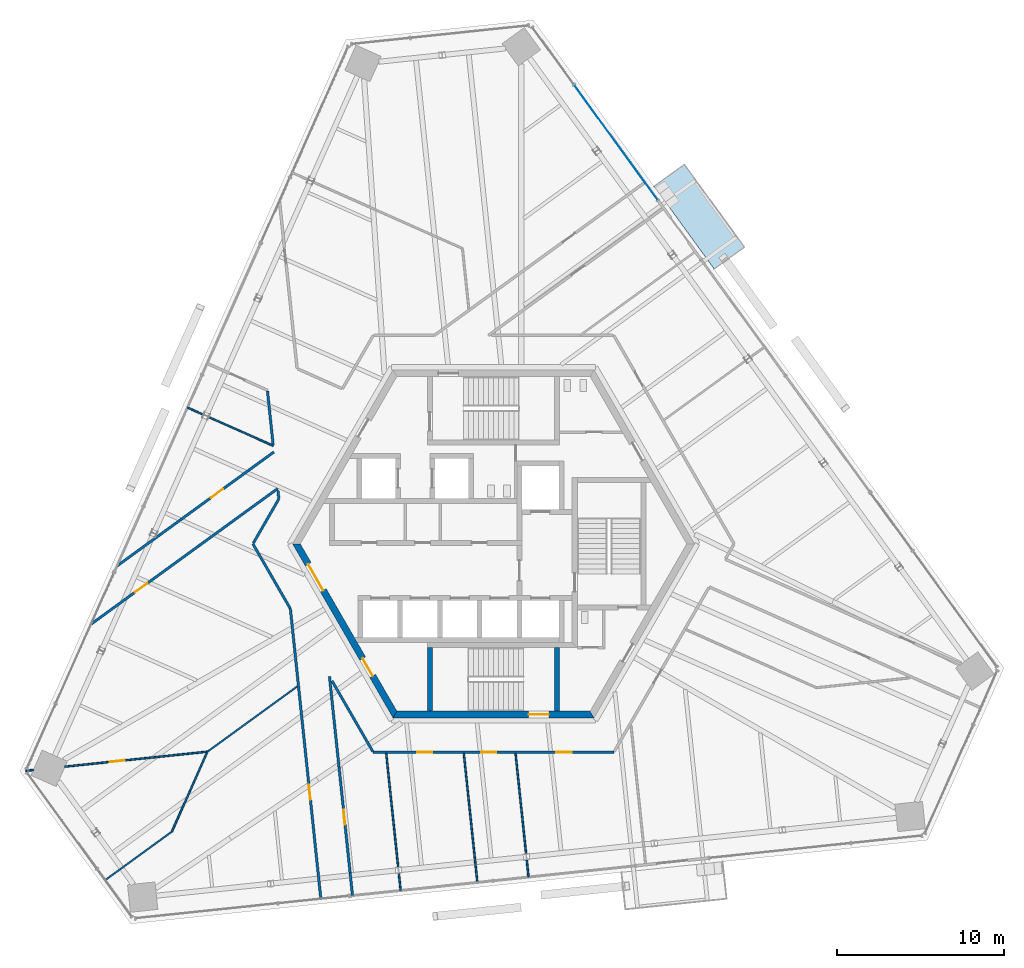
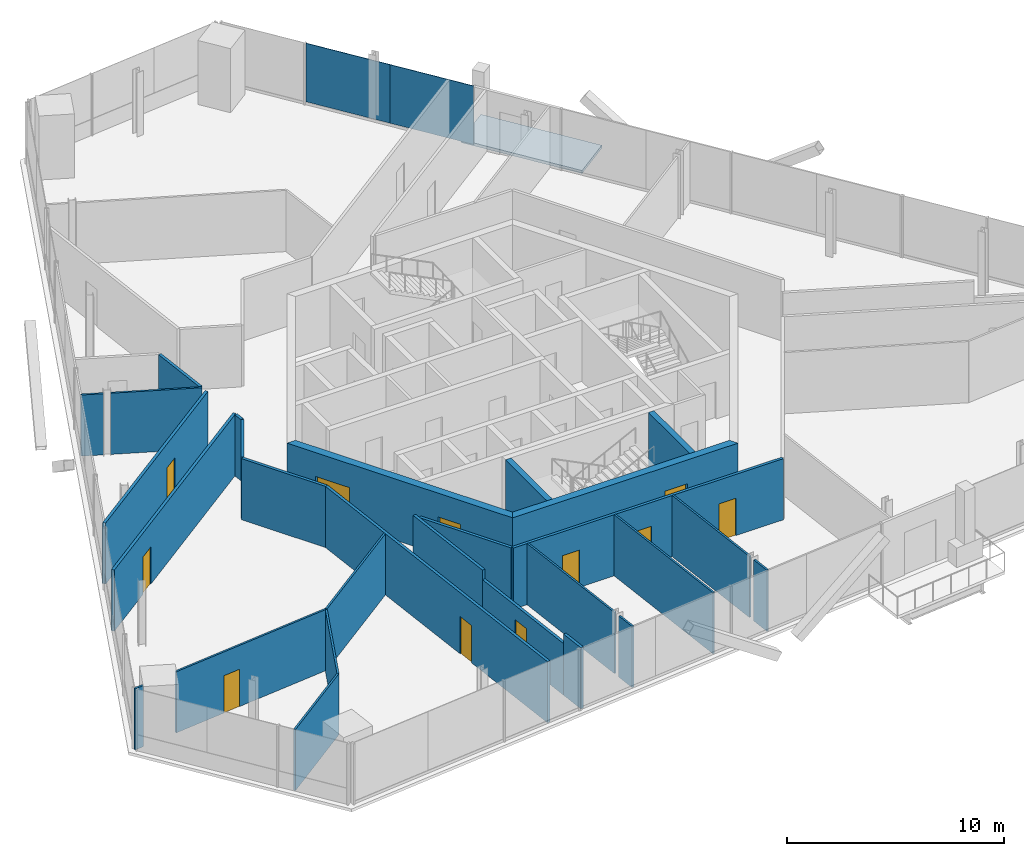
# One storey, part 11 of 18: 28 walls, 11 doors, 2 plates, 1 slab, 11 openings, 1 element without a shape of its own.
"""IFC4 building model written with IfcOpenShell, lengths in metres."""

from ifc_helpers import new_model, si_unit, direction, frame, frame_2d, origin, origin_2d, place, context, subcontext, project, spatial, polyline, rectangle, outline, extrude, source, transform, mapped, material, layer, layer_set, type_object, element, fill, aggregate, save


model = new_model("IFC4")

# Units and contexts
model_context = context("Model", 3, precision=1e-05, world=origin(), true_north=direction((0.0, 1.0)))
body_context = subcontext(model_context, "Body", "Model", "MODEL_VIEW")
ifc_project = project(units=[si_unit("LENGTHUNIT", "METRE"), si_unit("AREAUNIT", "SQUARE_METRE"), si_unit("VOLUMEUNIT", "CUBIC_METRE"), si_unit("PLANEANGLEUNIT", "RADIAN"), si_unit("MASSUNIT", "GRAM", prefix="KILO")], contexts=[model_context])

# Site, building, storey
site_placement = place(None, origin())
site = spatial("IfcSite", under=ifc_project, at=site_placement, CompositionType="ELEMENT")
building_placement = place(site_placement, origin())
building = spatial("IfcBuilding", under=site, at=building_placement, Name="Triune Harvest Tower", CompositionType="ELEMENT")
storey_placement = place(building_placement, frame((0.0, 0.0, 237.699951171875)))
storey = spatial("IfcBuildingStorey", under=building, at=storey_placement, Name="L62", CompositionType="ELEMENT", Elevation=237.699951171875)

# Slab
ifc_material_1 = material(Name="Concrete 40 MPa", Category="concrete")
ifc_layer_1 = layer(ifc_material_1, 0.159912109375)
ifc_layer_set_1 = layer_set([ifc_layer_1], Name="Concrete 40 MPa")
slab_type = type_object("IfcSlabType", Name="BA-1 balcony slab 160", PredefinedType="FLOOR", material=ifc_layer_set_1)
slab_placement = place(storey_placement, frame((0.0, 0.0, -0.159912109375)))
element("IfcSlab", 1, at=slab_placement, inside=storey, type_object=slab_type, Name="Balcony slab B6-F1 L62.8", PredefinedType="FLOOR", context=body_context, shape_type="SweptSolid", body=[
    extrude(outline(polyline([(13.173583984375, 16.41064453125), (9.58837890625, 21.34521484375), (11.39599609375, 22.65869140625), (14.981201171875, 17.72412109375), (13.173583984375, 16.41064453125)])), origin(), (0.0, 0.0, 1.0), 0.159912109375),
])

# Curtain wall, plates
ifc_material_2 = material(Name="Aluminium bronze anodised", Category="aluminium")
curtain_wall_type = type_object("IfcCurtainWallType", Name="CW-6 Balcony window wall", PredefinedType="NOTDEFINED", material=ifc_material_2)
curtain_wall_placement = place(storey_placement, origin())
curtain_wall = element("IfcCurtainWall", 2, at=curtain_wall_placement, inside=storey, type_object=curtain_wall_type, Name="CW-6 B6-F1 L62 run 2")
ifc_material_3 = material(Name="Glass", Category="glass")
ifc_layer_2 = layer(ifc_material_3, 0.030029296875)
ifc_layer_set_2 = layer_set([ifc_layer_2], Name="Glass")
plate_type = type_object("IfcPlateType", Name="GL-6 panel 30", PredefinedType="CURTAIN_PANEL", material=ifc_layer_set_2)
shared_shape_1 = source(origin(), body_context, "Body", "SweptSolid", [
    extrude(rectangle(XDim=4.21142578125, YDim=0.030029296875, at=origin_2d()), origin(), (0.0, 0.0, 1.0), 3.2900390625),
])
plate_1_placement = place(storey_placement, frame((8.55859375, 22.251953125, 0.150146484375), z_axis=(0.0, 0.0, 1.0), x_axis=(-0.587785672066, 0.809016689391, 0.0)))
plate_1 = element("IfcPlate", 3, at=plate_1_placement, type_object=plate_type, Name="CW-6 panel B6-F1 2.1", PredefinedType="CURTAIN_PANEL", context=body_context, shape_type="MappedRepresentation", body=[
    mapped(shared_shape_1, transform((0.0, 0.0, 0.0), scale=1.0)),
])
shared_shape_2 = source(origin(), body_context, "Body", "SweptSolid", [
    extrude(rectangle(XDim=4.248779296875, YDim=0.030029296875, at=origin_2d()), origin(), (0.0, 0.0, 1.0), 3.2900390625),
])
plate_2_placement = place(storey_placement, frame((6.072265625, 25.67431640625, 0.150146484375), z_axis=(0.0, 0.0, 1.0), x_axis=(-0.587785672066, 0.809016689391, 0.0)))
plate_2 = element("IfcPlate", 4, at=plate_2_placement, type_object=plate_type, Name="CW-6 panel B6-F1 2.2", PredefinedType="CURTAIN_PANEL", context=body_context, shape_type="MappedRepresentation", body=[
    mapped(shared_shape_2, transform((0.0, 0.0, 0.0), scale=1.0)),
])
aggregate(curtain_wall, [plate_1, plate_2])

# Walls
ifc_material_4 = material(Name="Gypsum board on steel studs", Category="steel")
ifc_layer_3 = layer(ifc_material_4, 0.14990234375)
ifc_layer_set_3 = layer_set([ifc_layer_3], Name="Gypsum board on steel studs")
wall_type_1 = type_object("IfcWallType", Name="Fire Partition 150 mm", PredefinedType="PARTITIONING", material=ifc_layer_set_3)
wall_1_placement = place(storey_placement, frame((-13.496826171875, 9.12548828125, 0.0), z_axis=(0.0, 0.0, 1.0), x_axis=(0.10448685516, -0.994526267677, 0.0)))
element("IfcWall", 5, at=wall_1_placement, inside=storey, type_object=wall_type_1, Name="Partition L62 001", PredefinedType="PARTITIONING", context=body_context, shape_type="SweptSolid", body=[
    extrude(rectangle(XDim=3.21044921875, YDim=0.14990234375, at=frame_2d((1.605224609375, 0.0))), origin(), (0.0, 0.0, 1.0), 3.43994140625),
])
wall_2_placement = place(storey_placement, frame((-12.873291015625, 3.193115234375, 0.0), z_axis=(0.0, 0.0, 1.0), x_axis=(0.104475610801, -0.994527448967, 0.0)))
element("IfcWall", 6, at=wall_2_placement, inside=storey, type_object=wall_type_1, Name="Partition L62 002", PredefinedType="PARTITIONING", context=body_context, shape_type="SweptSolid", body=[
    extrude(rectangle(XDim=0.486083984375, YDim=0.14990234375, at=frame_2d((0.2431640625, 0.0))), origin(), (0.0, 0.0, 1.0), 3.43994140625),
])

# Wall, opening, door
wall_3_placement = place(storey_placement, frame((-24.03173828125, -4.79541015625, 0.0), z_axis=(0.0, 0.0, 1.0), x_axis=(0.8090233325, 0.587776528514, 0.0)))
wall_3 = element("IfcWall", 7, at=wall_3_placement, inside=storey, type_object=wall_type_1, Name="Partition L62 036", PredefinedType="PARTITIONING", context=body_context, shape_type="SweptSolid", body=[
    extrude(rectangle(XDim=13.778076171875, YDim=0.14990234375, at=frame_2d((6.88916015625, 0.0))), origin(), (0.0, 0.0, 1.0), 3.43994140625),
])
opening_1_placement = place(wall_3_placement, frame((3.25, 0.0, 0.0)))
opening_1 = element("IfcOpeningElement", 8, at=opening_1_placement, cuts=wall_3, Name="Opening L62-008", PredefinedType="OPENING", context=body_context, shape_type="SweptSolid", body=[
    extrude(rectangle(XDim=0.89990234375, YDim=2.10009765625, at=frame_2d((0.449951171875, 1.050048828125))), frame((0.0, 0.0849609375, 0.0), z_axis=(0.0, -1.0, 0.0), x_axis=(1.0, 0.0, 0.0)), (0.0, 0.0, 1.0), 0.169921875),
])
ifc_material_5 = material(Name="Timber and steel door set", Category="steel")
door_type_1 = type_object("IfcDoorType", Name="Single leaf door FD30 right hand 900 x 2100", OperationType="SINGLE_SWING_RIGHT", PredefinedType="DOOR", material=ifc_material_5)
door_1_placement = place(opening_1_placement, origin())
door_1 = element("IfcDoor", 9, at=door_1_placement, inside=storey, type_object=door_type_1, Name="Door L62-008 Open Office 62.08", OperationType="SINGLE_SWING_RIGHT", OverallHeight=2.10009765625, OverallWidth=0.89990234375, PredefinedType="DOOR", context=body_context, shape_type="SweptSolid", body=[
    extrude(rectangle(XDim=0.89990234375, YDim=2.10009765625, at=frame_2d((0.449951171875, 1.050048828125))), frame((0.0, 0.02490234375, 0.0), z_axis=(0.0, -1.0, 0.0), x_axis=(1.0, 0.0, 0.0)), (0.0, 0.0, 1.0), 0.050048828125),
])
fill(opening_1, door_1)

wall_4_placement = place(storey_placement, frame((-22.486083984375, -1.32421875, 0.0), z_axis=(0.0, 0.0, 1.0), x_axis=(0.809007588388, 0.587798198305, 0.0)))
wall_4 = element("IfcWall", 10, at=wall_4_placement, inside=storey, type_object=wall_type_1, Name="Partition L62 038", PredefinedType="PARTITIONING", context=body_context, shape_type="SweptSolid", body=[
    extrude(rectangle(XDim=11.583984375, YDim=0.14990234375, at=frame_2d((5.7919921875, 0.0))), origin(), (0.0, 0.0, 1.0), 3.43994140625),
])
opening_2_placement = place(wall_4_placement, frame((6.93408203125, 0.0, 0.0)))
opening_2 = element("IfcOpeningElement", 11, at=opening_2_placement, cuts=wall_4, Name="Opening L62-009", PredefinedType="OPENING", context=body_context, shape_type="SweptSolid", body=[
    extrude(rectangle(XDim=0.89990234375, YDim=2.10009765625, at=frame_2d((0.449951171875, 1.050048828125))), frame((0.0, 0.0849609375, 0.0), z_axis=(0.0, -1.0, 0.0), x_axis=(1.0, 0.0, 0.0)), (0.0, 0.0, 1.0), 0.169921875),
])
door_2_placement = place(opening_2_placement, origin())
door_2 = element("IfcDoor", 12, at=door_2_placement, inside=storey, type_object=door_type_1, Name="Door L62-009 Open Office 62.09", OperationType="SINGLE_SWING_RIGHT", OverallHeight=2.10009765625, OverallWidth=0.89990234375, PredefinedType="DOOR", context=body_context, shape_type="SweptSolid", body=[
    extrude(rectangle(XDim=0.89990234375, YDim=2.10009765625, at=frame_2d((0.449951171875, 1.050048828125))), frame((0.0, 0.02490234375, 0.0), z_axis=(0.0, -1.0, 0.0), x_axis=(1.0, 0.0, 0.0)), (0.0, 0.0, 1.0), 0.050048828125),
])
fill(opening_2, door_2)

# Walls
ifc_material_6 = material(Name="Gypsum board on steel studs", Category="steel")
ifc_layer_4 = layer(ifc_material_6, 0.10009765625)
ifc_layer_set_4 = layer_set([ifc_layer_4], Name="Gypsum board on steel studs")
wall_type_2 = type_object("IfcWallType", Name="Partition 100 mm", PredefinedType="PARTITIONING", material=ifc_layer_set_4)
wall_5_placement = place(storey_placement, frame((-1.774658203125, -12.501953125, 0.0), z_axis=(0.0, 0.0, 1.0), x_axis=(0.104511086496, -0.994523721587, 0.0)))
element("IfcWall", 13, at=wall_5_placement, inside=storey, type_object=wall_type_2, Name="Partition L62 008", PredefinedType="PARTITIONING", context=body_context, shape_type="SweptSolid", body=[
    extrude(rectangle(XDim=7.755615234375, YDim=0.10009765625, at=frame_2d((3.8779296875, 0.0))), origin(), (0.0, 0.0, 1.0), 3.43994140625),
])
wall_6_placement = place(storey_placement, frame((-17.010498046875, 7.573486328125, 0.0), z_axis=(0.0, 0.0, 1.0), x_axis=(0.913549067156, -0.40672853588, 0.0)))
element("IfcWall", 14, at=wall_6_placement, inside=storey, type_object=wall_type_2, Name="Partition L62 017", PredefinedType="PARTITIONING", context=body_context, shape_type="SweptSolid", body=[
    extrude(rectangle(XDim=4.22216796875, YDim=0.10009765625, at=frame_2d((2.111083984375, 0.0))), origin(), (0.0, 0.0, 1.0), 3.43994140625),
])
wall_7_placement = place(storey_placement, frame((-27.9306640625, -13.550048828125, 0.0), z_axis=(0.0, 0.0, 1.0), x_axis=(0.994496795265, 0.104766999607, 0.0)))
element("IfcWall", 15, at=wall_7_placement, inside=storey, type_object=wall_type_2, Name="Partition L62 028", PredefinedType="PARTITIONING", context=body_context, shape_type="SweptSolid", body=[
    extrude(rectangle(XDim=0.463623046875, YDim=0.10009765625, at=frame_2d((0.23193359375, 0.0))), origin(), (0.0, 0.0, 1.0), 3.43994140625),
])

# Wall, opening, door
wall_8_placement = place(storey_placement, frame((-25.59765625, -13.3046875, 0.0), z_axis=(0.0, 0.0, 1.0), x_axis=(0.994526371454, 0.104485867384, 0.0)))
wall_8 = element("IfcWall", 16, at=wall_8_placement, inside=storey, type_object=wall_type_2, Name="Partition L62 029", PredefinedType="PARTITIONING", context=body_context, shape_type="SweptSolid", body=[
    extrude(rectangle(XDim=8.561279296875, YDim=0.10009765625, at=frame_2d((4.28076171875, 0.0))), origin(), (0.0, 0.0, 1.0), 3.43994140625),
])
opening_3_placement = place(wall_8_placement, frame((2.70458984375, 0.0, 0.0)))
opening_3 = element("IfcOpeningElement", 17, at=opening_3_placement, cuts=wall_8, Name="Opening L62-010", PredefinedType="OPENING", context=body_context, shape_type="SweptSolid", body=[
    extrude(rectangle(XDim=0.89990234375, YDim=2.10009765625, at=frame_2d((0.449951171875, 1.050048828125))), frame((0.0, 0.06005859375, 0.0), z_axis=(0.0, -1.0, 0.0), x_axis=(1.0, 0.0, 0.0)), (0.0, 0.0, 1.0), 0.1201171875),
])
ifc_material_7 = material(Name="Timber and steel door set", Category="steel")
door_type_2 = type_object("IfcDoorType", Name="Single leaf door right hand 900 x 2100", OperationType="SINGLE_SWING_RIGHT", PredefinedType="DOOR", material=ifc_material_7)
door_3_placement = place(opening_3_placement, origin())
door_3 = element("IfcDoor", 18, at=door_3_placement, inside=storey, type_object=door_type_2, Name="Door L62-010 Reception 62.10", OperationType="SINGLE_SWING_RIGHT", OverallHeight=2.10009765625, OverallWidth=0.89990234375, PredefinedType="DOOR", context=body_context, shape_type="SweptSolid", body=[
    extrude(rectangle(XDim=0.89990234375, YDim=2.10009765625, at=frame_2d((0.449951171875, 1.050048828125))), frame((0.0, 0.02490234375, 0.0), z_axis=(0.0, -1.0, 0.0), x_axis=(1.0, 0.0, 0.0)), (0.0, 0.0, 1.0), 0.050048828125),
])
fill(opening_3, door_3)

# Walls
wall_9_placement = place(storey_placement, frame((-23.1884765625, -20.077880859375, 0.0), z_axis=(0.0, 0.0, 1.0), x_axis=(0.809002120202, 0.587805724291, 0.0)))
element("IfcWall", 19, at=wall_9_placement, inside=storey, type_object=wall_type_2, Name="Partition L62 031", PredefinedType="PARTITIONING", context=body_context, shape_type="SweptSolid", body=[
    extrude(rectangle(XDim=4.91943359375, YDim=0.10009765625, at=frame_2d((2.459716796875, 0.0))), origin(), (0.0, 0.0, 1.0), 3.43994140625),
])
wall_10_placement = place(storey_placement, frame((-17.082763671875, -12.411376953125, 0.0), z_axis=(0.0, 0.0, 1.0), x_axis=(0.809009995236, 0.58779488566, 0.0)))
element("IfcWall", 20, at=wall_10_placement, inside=storey, type_object=wall_type_2, Name="Partition L62 032", PredefinedType="PARTITIONING", context=body_context, shape_type="SweptSolid", body=[
    extrude(rectangle(XDim=6.62744140625, YDim=0.10009765625, at=frame_2d((3.313720703125, 0.0))), origin(), (0.0, 0.0, 1.0), 3.43994140625),
])
wall_11_placement = place(storey_placement, frame((-19.208740234375, -17.186279296875, 0.0), z_axis=(0.0, 0.0, 1.0), x_axis=(0.4067521738, 0.91353854276, 0.0)))
element("IfcWall", 21, at=wall_11_placement, inside=storey, type_object=wall_type_2, Name="Partition L62 044", PredefinedType="PARTITIONING", context=body_context, shape_type="SweptSolid", body=[
    extrude(rectangle(XDim=5.166748046875, YDim=0.10009765625, at=frame_2d((2.58349609375, 0.0))), origin(), (0.0, 0.0, 1.0), 3.43994140625),
])

# Wall, openings, doors
ifc_material_8 = material(Name="Concrete 70 MPa", Category="concrete")
ifc_layer_5 = layer(ifc_material_8, 0.39990234375)
ifc_layer_set_5 = layer_set([ifc_layer_5], Name="Concrete 70 MPa")
wall_type_3 = type_object("IfcWallType", Name="Core wall 400", PredefinedType="SHEAR", material=ifc_layer_set_5)
shared_shape_3 = source(origin(), body_context, "Body", "SweptSolid", [
    extrude(outline(polyline([(-0.115478515625, -0.199951171875), (11.884521484375, -0.199951171875), (11.653564453125, 0.199951171875), (0.115478515625, 0.199951171875), (-0.115478515625, -0.199951171875)])), origin(), (0.0, 0.0, 1.0), 3.43994140625),
])
wall_12_placement = place(storey_placement, frame((-11.76904296875, 0.0, 0.0), z_axis=(0.0, 0.0, 1.0), x_axis=(0.499996592174, -0.866027371285, 0.0)))
wall_12 = element("IfcWall", 22, at=wall_12_placement, inside=storey, type_object=wall_type_3, Name="Hexagon 3 wall", PredefinedType="SHEAR", context=body_context, shape_type="MappedRepresentation", body=[
    mapped(shared_shape_3, transform((0.0, 0.0, 0.0), scale=1.0)),
])
opening_4_placement = place(wall_12_placement, frame((1.404541015625, 0.0, 0.0)))
opening_4 = element("IfcOpeningElement", 23, at=opening_4_placement, cuts=wall_12, Name="Opening CD-LS", PredefinedType="OPENING", context=body_context, shape_type="SweptSolid", body=[
    extrude(rectangle(XDim=1.800048828125, YDim=2.10009765625, at=frame_2d((0.89990234375, 1.050048828125))), frame((0.0, 0.2099609375, 0.0), z_axis=(0.0, -1.0, 0.0), x_axis=(1.0, 0.0, 0.0)), (0.0, 0.0, 1.0), 0.419921875),
])
opening_5_placement = place(wall_12_placement, frame((7.91455078125, 0.0, 0.0)))
opening_5 = element("IfcOpeningElement", 24, at=opening_5_placement, cuts=wall_12, Name="Opening CD-SWP", PredefinedType="OPENING", context=body_context, shape_type="SweptSolid", body=[
    extrude(rectangle(XDim=1.199951171875, YDim=2.10009765625, at=frame_2d((0.60009765625, 1.050048828125))), frame((0.0, 0.2099609375, 0.0), z_axis=(0.0, -1.0, 0.0), x_axis=(1.0, 0.0, 0.0)), (0.0, 0.0, 1.0), 0.419921875),
])
ifc_material_9 = material(Name="Steel S235", Category="steel")
door_type_3 = type_object("IfcDoorType", Name="Lobby door 1800 FD120", OperationType="DOUBLE_DOOR_DOUBLE_SWING", PredefinedType="DOOR", material=ifc_material_9)
door_4_placement = place(opening_4_placement, frame((1.800048828125, 0.0, 0.0), z_axis=(0.0, 0.0, 1.0), x_axis=(-1.0, 0.0, 0.0)))
door_4 = element("IfcDoor", 25, at=door_4_placement, inside=storey, type_object=door_type_3, Name="Door CD-LS", OperationType="DOUBLE_DOOR_DOUBLE_SWING", OverallHeight=2.10009765625, OverallWidth=1.800048828125, PredefinedType="DOOR", context=body_context, shape_type="SweptSolid", body=[
    extrude(rectangle(XDim=1.800048828125, YDim=2.10009765625, at=frame_2d((0.89990234375, 1.050048828125))), frame((0.0, 0.02490234375, 0.0), z_axis=(0.0, -1.0, 0.0), x_axis=(1.0, 0.0, 0.0)), (0.0, 0.0, 1.0), 0.050048828125),
])
fill(opening_4, door_4)
ifc_material_10 = material(Name="Steel S235", Category="steel")
door_type_4 = type_object("IfcDoorType", Name="Service door 1200 FD120", OperationType="SINGLE_SWING_LEFT", PredefinedType="DOOR", material=ifc_material_10)
door_5_placement = place(opening_5_placement, frame((1.199951171875, 0.0, 0.0), z_axis=(0.0, 0.0, 1.0), x_axis=(-1.0, 0.0, 0.0)))
door_5 = element("IfcDoor", 26, at=door_5_placement, inside=storey, type_object=door_type_4, Name="Door CD-SWP", OperationType="SINGLE_SWING_RIGHT", OverallHeight=2.10009765625, OverallWidth=1.199951171875, PredefinedType="DOOR", context=body_context, shape_type="SweptSolid", body=[
    extrude(rectangle(XDim=1.199951171875, YDim=2.10009765625, at=frame_2d((0.60009765625, 1.050048828125))), frame((0.0, 0.02490234375, 0.0), z_axis=(0.0, -1.0, 0.0), x_axis=(1.0, 0.0, 0.0)), (0.0, 0.0, 1.0), 0.050048828125),
])
fill(opening_5, door_5)

# Wall, opening, door
wall_13_placement = place(storey_placement, frame((-5.884521484375, -10.1923828125, 0.0), z_axis=(0.0, 0.0, 1.0), x_axis=(1.0, 0.0, 0.0)))
wall_13 = element("IfcWall", 27, at=wall_13_placement, inside=storey, type_object=wall_type_3, Name="Hexagon 4 wall", PredefinedType="SHEAR", context=body_context, shape_type="MappedRepresentation", body=[
    mapped(shared_shape_3, transform((0.0, 0.0, 0.0), scale=1.0)),
])
opening_6_placement = place(wall_13_placement, frame((7.984619140625, 0.0, 0.0)))
opening_6 = element("IfcOpeningElement", 28, at=opening_6_placement, cuts=wall_13, Name="Opening CD-S2P", PredefinedType="OPENING", context=body_context, shape_type="SweptSolid", body=[
    extrude(rectangle(XDim=1.199951171875, YDim=2.10009765625, at=frame_2d((0.60009765625, 1.050048828125))), frame((0.0, 0.2099609375, 0.0), z_axis=(0.0, -1.0, 0.0), x_axis=(1.0, 0.0, 0.0)), (0.0, 0.0, 1.0), 0.419921875),
])
ifc_material_11 = material(Name="Steel S235", Category="steel")
door_type_5 = type_object("IfcDoorType", Name="Stair door 1200 FD120", OperationType="SINGLE_SWING_LEFT", PredefinedType="DOOR", material=ifc_material_11)
door_6_placement = place(opening_6_placement, frame((1.199951171875, 0.0, 0.0), z_axis=(0.0, 0.0, 1.0), x_axis=(-1.0, 0.0, 0.0)))
door_6 = element("IfcDoor", 29, at=door_6_placement, inside=storey, type_object=door_type_5, Name="Door CD-S2P", OperationType="SINGLE_SWING_RIGHT", OverallHeight=2.10009765625, OverallWidth=1.199951171875, PredefinedType="DOOR", context=body_context, shape_type="SweptSolid", body=[
    extrude(rectangle(XDim=1.199951171875, YDim=2.10009765625, at=frame_2d((0.60009765625, 1.050048828125))), frame((0.0, 0.02490234375, 0.0), z_axis=(0.0, -1.0, 0.0), x_axis=(1.0, 0.0, 0.0)), (0.0, 0.0, 1.0), 0.050048828125),
])
fill(opening_6, door_6)

# Walls
ifc_material_12 = material(Name="Concrete 70 MPa", Category="concrete")
ifc_layer_6 = layer(ifc_material_12, 0.300048828125)
ifc_layer_set_6 = layer_set([ifc_layer_6], Name="Concrete 70 MPa")
wall_type_4 = type_object("IfcWallType", Name="Core wall 300", PredefinedType="SHEAR", material=ifc_layer_set_6)
shared_shape_4 = source(origin(), body_context, "Body", "SweptSolid", [
    extrude(outline(polyline([(3.800048828125, -0.14990234375), (-0.00439453125, -0.14990234375), (-0.00439453125, 0.14990234375), (3.800048828125, 0.14990234375), (3.800048828125, -0.14990234375)])), origin(), (0.0, 0.0, 1.0), 3.43994140625),
])
for number, where, z_axis, x_axis, name in (
    (30, (-3.800048828125, -9.989990234375, 0.0), (0.0, 0.0, 1.0), (0.0, 1.0, 0.0), "Stair s west wall"),
    (31, (3.800048828125, -9.989990234375, 0.0), (0.0, 0.0, 1.0), (0.0, 1.0, 0.0), "Stair s east wall"),
):
    element("IfcWall", number, at=place(storey_placement, frame(where, z_axis=z_axis, x_axis=x_axis)), inside=storey, type_object=wall_type_4, Name=name, PredefinedType="SHEAR", context=body_context, shape_type="MappedRepresentation", body=[
        mapped(shared_shape_4, transform((0.0, 0.0, 0.0), scale=1.0)),
    ])

# Wall, openings, doors
shared_shape_5 = source(origin(), body_context, "Body", "SweptSolid", [
    extrude(rectangle(XDim=14.3671875, YDim=0.14990234375, at=frame_2d((7.18359375, 0.0))), origin(), (0.0, 0.0, 1.0), 3.43994140625),
])
wall_14_placement = place(storey_placement, frame((-7.18359375, -12.4423828125, 0.0), z_axis=(0.0, 0.0, 1.0), x_axis=(1.0, 0.0, 0.0)))
wall_14 = element("IfcWall", 32, at=wall_14_placement, inside=storey, type_object=wall_type_1, Name="Partition L62 025", PredefinedType="PARTITIONING", context=body_context, shape_type="MappedRepresentation", body=[
    mapped(shared_shape_5, transform((0.0, 0.0, 0.0), scale=1.0)),
])
opening_7_placement = place(wall_14_placement, frame((2.61962890625, 0.0, 0.0)))
opening_7 = element("IfcOpeningElement", 33, at=opening_7_placement, cuts=wall_14, Name="Opening L62-013", PredefinedType="OPENING", context=body_context, shape_type="SweptSolid", body=[
    extrude(rectangle(XDim=0.89990234375, YDim=2.10009765625, at=frame_2d((0.449951171875, 1.050048828125))), frame((0.0, 0.0849609375, 0.0), z_axis=(0.0, -1.0, 0.0), x_axis=(1.0, 0.0, 0.0)), (0.0, 0.0, 1.0), 0.169921875),
])
opening_8_placement = place(wall_14_placement, frame((6.45263671875, 0.0, 0.0)))
opening_8 = element("IfcOpeningElement", 34, at=opening_8_placement, cuts=wall_14, Name="Opening L62-014", PredefinedType="OPENING", context=body_context, shape_type="SweptSolid", body=[
    extrude(rectangle(XDim=0.89990234375, YDim=2.10009765625, at=frame_2d((0.449951171875, 1.050048828125))), frame((0.0, 0.0849609375, 0.0), z_axis=(0.0, -1.0, 0.0), x_axis=(1.0, 0.0, 0.0)), (0.0, 0.0, 1.0), 0.169921875),
])
opening_9_placement = place(wall_14_placement, frame((10.94140625, 0.0, 0.0)))
opening_9 = element("IfcOpeningElement", 35, at=opening_9_placement, cuts=wall_14, Name="Opening L62-015", PredefinedType="OPENING", context=body_context, shape_type="SweptSolid", body=[
    extrude(rectangle(XDim=0.89990234375, YDim=2.10009765625, at=frame_2d((0.449951171875, 1.050048828125))), frame((0.0, 0.0849609375, 0.0), z_axis=(0.0, -1.0, 0.0), x_axis=(1.0, 0.0, 0.0)), (0.0, 0.0, 1.0), 0.169921875),
])
ifc_material_13 = material(Name="Timber and steel door set", Category="steel")
door_type_6 = type_object("IfcDoorType", Name="Single leaf door FD30 left hand 900 x 2100", OperationType="SINGLE_SWING_LEFT", PredefinedType="DOOR", material=ifc_material_13)
door_7_placement = place(opening_9_placement, origin())
door_7 = element("IfcDoor", 36, at=door_7_placement, inside=storey, type_object=door_type_6, Name="Door L62-015 Office 62.15", OperationType="SINGLE_SWING_LEFT", OverallHeight=2.10009765625, OverallWidth=0.89990234375, PredefinedType="DOOR", context=body_context, shape_type="SweptSolid", body=[
    extrude(rectangle(XDim=0.89990234375, YDim=2.10009765625, at=frame_2d((0.449951171875, 1.050048828125))), frame((0.0, 0.02490234375, 0.0), z_axis=(0.0, -1.0, 0.0), x_axis=(1.0, 0.0, 0.0)), (0.0, 0.0, 1.0), 0.050048828125),
])
fill(opening_9, door_7)
door_8_placement = place(opening_7_placement, origin())
door_8 = element("IfcDoor", 37, at=door_8_placement, inside=storey, type_object=door_type_1, Name="Door L62-013 Office 62.13", OperationType="SINGLE_SWING_RIGHT", OverallHeight=2.10009765625, OverallWidth=0.89990234375, PredefinedType="DOOR", context=body_context, shape_type="SweptSolid", body=[
    extrude(rectangle(XDim=0.89990234375, YDim=2.10009765625, at=frame_2d((0.449951171875, 1.050048828125))), frame((0.0, 0.02490234375, 0.0), z_axis=(0.0, -1.0, 0.0), x_axis=(1.0, 0.0, 0.0)), (0.0, 0.0, 1.0), 0.050048828125),
])
fill(opening_7, door_8)
door_9_placement = place(opening_8_placement, origin())
door_9 = element("IfcDoor", 38, at=door_9_placement, inside=storey, type_object=door_type_1, Name="Door L62-014 Office 62.14", OperationType="SINGLE_SWING_RIGHT", OverallHeight=2.10009765625, OverallWidth=0.89990234375, PredefinedType="DOOR", context=body_context, shape_type="SweptSolid", body=[
    extrude(rectangle(XDim=0.89990234375, YDim=2.10009765625, at=frame_2d((0.449951171875, 1.050048828125))), frame((0.0, 0.02490234375, 0.0), z_axis=(0.0, -1.0, 0.0), x_axis=(1.0, 0.0, 0.0)), (0.0, 0.0, 1.0), 0.050048828125),
])
fill(opening_8, door_9)

# Walls
shared_shape_6 = source(origin(), body_context, "Body", "SweptSolid", [
    extrude(rectangle(XDim=1.0478515625, YDim=0.10009765625, at=frame_2d((0.52392578125, 0.0))), origin(), (0.0, 0.0, 1.0), 3.43994140625),
])
for number, where, z_axis, x_axis, name in (
    (39, (-5.656005859375, -19.654541015625, 0.0), (0.0, 0.0, 1.0), (0.104624136351, -0.994511835069, 0.0), "Partition L62 007"),
    (40, (1.981201171875, -18.851806640625, 0.0), (0.0, 0.0, 1.0), (0.104624136351, -0.994511835069, 0.0), "Partition L62 011"),
    (41, (-18.274169921875, 8.13623046875, 0.0), (0.0, 0.0, 1.0), (0.913609658968, -0.406592413899, 0.0), "Partition L62 016"),
):
    element("IfcWall", number, at=place(storey_placement, frame(where, z_axis=z_axis, x_axis=x_axis)), inside=storey, type_object=wall_type_2, Name=name, PredefinedType="PARTITIONING", context=body_context, shape_type="MappedRepresentation", body=[
        mapped(shared_shape_6, transform((0.0, 0.0, 0.0), scale=1.0)),
    ])

# Wall, opening, door
shared_shape_7 = source(origin(), body_context, "Body", "SweptSolid", [
    extrude(rectangle(XDim=17.4189453125, YDim=0.14990234375, at=frame_2d((8.70947265625, 0.0))), origin(), (0.0, 0.0, 1.0), 3.43994140625),
])
wall_15_placement = place(storey_placement, frame((-12.130615234375, -3.873779296875, 0.0), z_axis=(0.0, 0.0, 1.0), x_axis=(0.104516247132, -0.99452317926, 0.0)))
wall_15 = element("IfcWall", 42, at=wall_15_placement, inside=storey, type_object=wall_type_1, Name="Partition L62 003", PredefinedType="PARTITIONING", context=body_context, shape_type="MappedRepresentation", body=[
    mapped(shared_shape_7, transform((0.0, 0.0, 0.0), scale=1.0)),
])
opening_10_placement = place(wall_15_placement, frame((10.564697265625, 0.0, 0.0)))
opening_10 = element("IfcOpeningElement", 43, at=opening_10_placement, cuts=wall_15, Name="Opening L62-011", PredefinedType="OPENING", context=body_context, shape_type="SweptSolid", body=[
    extrude(rectangle(XDim=0.89990234375, YDim=2.10009765625, at=frame_2d((0.449951171875, 1.050048828125))), frame((0.0, 0.0849609375, 0.0), z_axis=(0.0, -1.0, 0.0), x_axis=(1.0, 0.0, 0.0)), (0.0, 0.0, 1.0), 0.169921875),
])
door_10_placement = place(opening_10_placement, origin())
door_10 = element("IfcDoor", 44, at=door_10_placement, inside=storey, type_object=door_type_6, Name="Door L62-011 Office 62.11", OperationType="SINGLE_SWING_LEFT", OverallHeight=2.10009765625, OverallWidth=0.89990234375, PredefinedType="DOOR", context=body_context, shape_type="SweptSolid", body=[
    extrude(rectangle(XDim=0.89990234375, YDim=2.10009765625, at=frame_2d((0.449951171875, 1.050048828125))), frame((0.0, 0.02490234375, 0.0), z_axis=(0.0, -1.0, 0.0), x_axis=(1.0, 0.0, 0.0)), (0.0, 0.0, 1.0), 0.050048828125),
])
fill(opening_10, door_10)

# Wall
shared_shape_8 = source(origin(), body_context, "Body", "SweptSolid", [
    extrude(rectangle(XDim=5.437255859375, YDim=0.14990234375, at=frame_2d((2.71875, 0.0))), origin(), (0.0, 0.0, 1.0), 3.43994140625),
])
wall_16_placement = place(storey_placement, frame((-9.794921875, -7.919189453125, 0.0), z_axis=(0.0, 0.0, 1.0), x_axis=(0.104486108065, -0.994526346168, 0.0)))
element("IfcWall", 45, at=wall_16_placement, inside=storey, type_object=wall_type_1, Name="Partition L62 005", PredefinedType="PARTITIONING", context=body_context, shape_type="MappedRepresentation", body=[
    mapped(shared_shape_8, transform((0.0, 0.0, 0.0), scale=1.0)),
])

# Wall, opening, door
shared_shape_9 = source(origin(), body_context, "Body", "SweptSolid", [
    extrude(rectangle(XDim=6.34619140625, YDim=0.14990234375, at=frame_2d((3.173095703125, 0.0))), origin(), (0.0, 0.0, 1.0), 2.904052734375),
])
wall_17_placement = place(storey_placement, frame((-9.226806640625, -13.32666015625, 0.0), z_axis=(0.0, 0.0, 1.0), x_axis=(0.104560626719, -0.994518514327, 0.0)))
wall_17 = element("IfcWall", 46, at=wall_17_placement, inside=storey, type_object=wall_type_1, Name="Partition L62 005a", PredefinedType="PARTITIONING", context=body_context, shape_type="MappedRepresentation", body=[
    mapped(shared_shape_9, transform((0.0, 0.0, 0.0), scale=1.0)),
])
opening_11_placement = place(wall_17_placement, frame((2.564453125, 0.0, 0.0)))
opening_11 = element("IfcOpeningElement", 47, at=opening_11_placement, cuts=wall_17, Name="Opening L62-012", PredefinedType="OPENING", context=body_context, shape_type="SweptSolid", body=[
    extrude(rectangle(XDim=0.89990234375, YDim=2.10009765625, at=frame_2d((0.449951171875, 1.050048828125))), frame((0.0, 0.0849609375, 0.0), z_axis=(0.0, -1.0, 0.0), x_axis=(1.0, 0.0, 0.0)), (0.0, 0.0, 1.0), 0.169921875),
])
door_11_placement = place(opening_11_placement, origin())
door_11 = element("IfcDoor", 48, at=door_11_placement, inside=storey, type_object=door_type_1, Name="Door L62-012 Meeting Room 62.12", OperationType="SINGLE_SWING_RIGHT", OverallHeight=2.10009765625, OverallWidth=0.89990234375, PredefinedType="DOOR", context=body_context, shape_type="SweptSolid", body=[
    extrude(rectangle(XDim=0.89990234375, YDim=2.10009765625, at=frame_2d((0.449951171875, 1.050048828125))), frame((0.0, 0.02490234375, 0.0), z_axis=(0.0, -1.0, 0.0), x_axis=(1.0, 0.0, 0.0)), (0.0, 0.0, 1.0), 0.050048828125),
])
fill(opening_11, door_11)

# Walls
shared_shape_10 = source(origin(), body_context, "Body", "SweptSolid", [
    extrude(rectangle(XDim=1.3681640625, YDim=0.14990234375, at=frame_2d((0.68408203125, 0.0))), origin(), (0.0, 0.0, 1.0), 3.43994140625),
])
wall_18_placement = place(storey_placement, frame((-8.563232421875, -19.63818359375, 0.0), z_axis=(0.0, 0.0, 1.0), x_axis=(0.1043968058, -0.994535724315, 0.0)))
element("IfcWall", 49, at=wall_18_placement, inside=storey, type_object=wall_type_1, Name="Partition L62 005b", PredefinedType="PARTITIONING", context=body_context, shape_type="MappedRepresentation", body=[
    mapped(shared_shape_10, transform((0.0, 0.0, 0.0), scale=1.0)),
])
shared_shape_11 = source(origin(), body_context, "Body", "SweptSolid", [
    extrude(rectangle(XDim=6.8564453125, YDim=0.10009765625, at=frame_2d((3.42822265625, 0.0))), origin(), (0.0, 0.0, 1.0), 3.43994140625),
])
wall_19_placement = place(storey_placement, frame((-6.40771484375, -12.501953125, 0.0), z_axis=(0.0, 0.0, 1.0), x_axis=(0.104543913948, -0.994520271315, 0.0)))
element("IfcWall", 50, at=wall_19_placement, inside=storey, type_object=wall_type_2, Name="Partition L62 006", PredefinedType="PARTITIONING", context=body_context, shape_type="MappedRepresentation", body=[
    mapped(shared_shape_11, transform((0.0, 0.0, 0.0), scale=1.0)),
])
shared_shape_12 = source(origin(), body_context, "Body", "SweptSolid", [
    extrude(rectangle(XDim=4.462646484375, YDim=0.14990234375, at=frame_2d((2.2314453125, 0.0))), origin(), (0.0, 0.0, 1.0), 3.43994140625),
])
wall_20_placement = place(storey_placement, frame((-14.3671875, 0.0, 0.0), z_axis=(0.0, 0.0, 1.0), x_axis=(0.500022371132, -0.86601248742, 0.0)))
element("IfcWall", 51, at=wall_20_placement, inside=storey, type_object=wall_type_1, Name="Partition L62 013", PredefinedType="PARTITIONING", context=body_context, shape_type="MappedRepresentation", body=[
    mapped(shared_shape_12, transform((0.0, 0.0, 0.0), scale=1.0)),
])
shared_shape_13 = source(origin(), body_context, "Body", "SweptSolid", [
    extrude(rectangle(XDim=4.872802734375, YDim=0.14990234375, at=frame_2d((2.4365234375, 0.0))), origin(), (0.0, 0.0, 1.0), 3.43994140625),
])
wall_21_placement = place(storey_placement, frame((-9.64501953125, -8.178955078125, 0.0), z_axis=(0.0, 0.0, 1.0), x_axis=(0.500018810599, -0.866014543207, 0.0)))
element("IfcWall", 52, at=wall_21_placement, inside=storey, type_object=wall_type_1, Name="Partition L62 014", PredefinedType="PARTITIONING", context=body_context, shape_type="MappedRepresentation", body=[
    mapped(shared_shape_13, transform((0.0, 0.0, 0.0), scale=1.0)),
])
shared_shape_14 = source(origin(), body_context, "Body", "SweptSolid", [
    extrude(rectangle(XDim=3.045166015625, YDim=0.14990234375, at=frame_2d((1.5224609375, 0.0))), origin(), (0.0, 0.0, 1.0), 3.43994140625),
])
wall_22_placement = place(storey_placement, frame((-14.342041015625, 0.04345703125, 0.0), z_axis=(0.0, 0.0, 1.0), x_axis=(0.499967672858, 0.866044067064, 0.0)))
element("IfcWall", 53, at=wall_22_placement, inside=storey, type_object=wall_type_1, Name="Partition L62 042", PredefinedType="PARTITIONING", context=body_context, shape_type="MappedRepresentation", body=[
    mapped(shared_shape_14, transform((0.0, 0.0, 0.0), scale=1.0)),
])
shared_shape_15 = source(origin(), body_context, "Body", "SweptSolid", [
    extrude(rectangle(XDim=6.04931640625, YDim=0.10009765625, at=frame_2d((3.024658203125, 0.0))), origin(), (0.0, 0.0, 1.0), 3.43994140625),
])
wall_23_placement = place(storey_placement, frame((1.31396484375, -12.501953125, 0.0), z_axis=(0.0, 0.0, 1.0), x_axis=(0.10452931889, -0.994521805438, 0.0)))
element("IfcWall", 54, at=wall_23_placement, inside=storey, type_object=wall_type_2, Name="Partition L62 010", PredefinedType="PARTITIONING", context=body_context, shape_type="MappedRepresentation", body=[
    mapped(shared_shape_15, transform((0.0, 0.0, 0.0), scale=1.0)),
])

save(model, "model.ifc")
